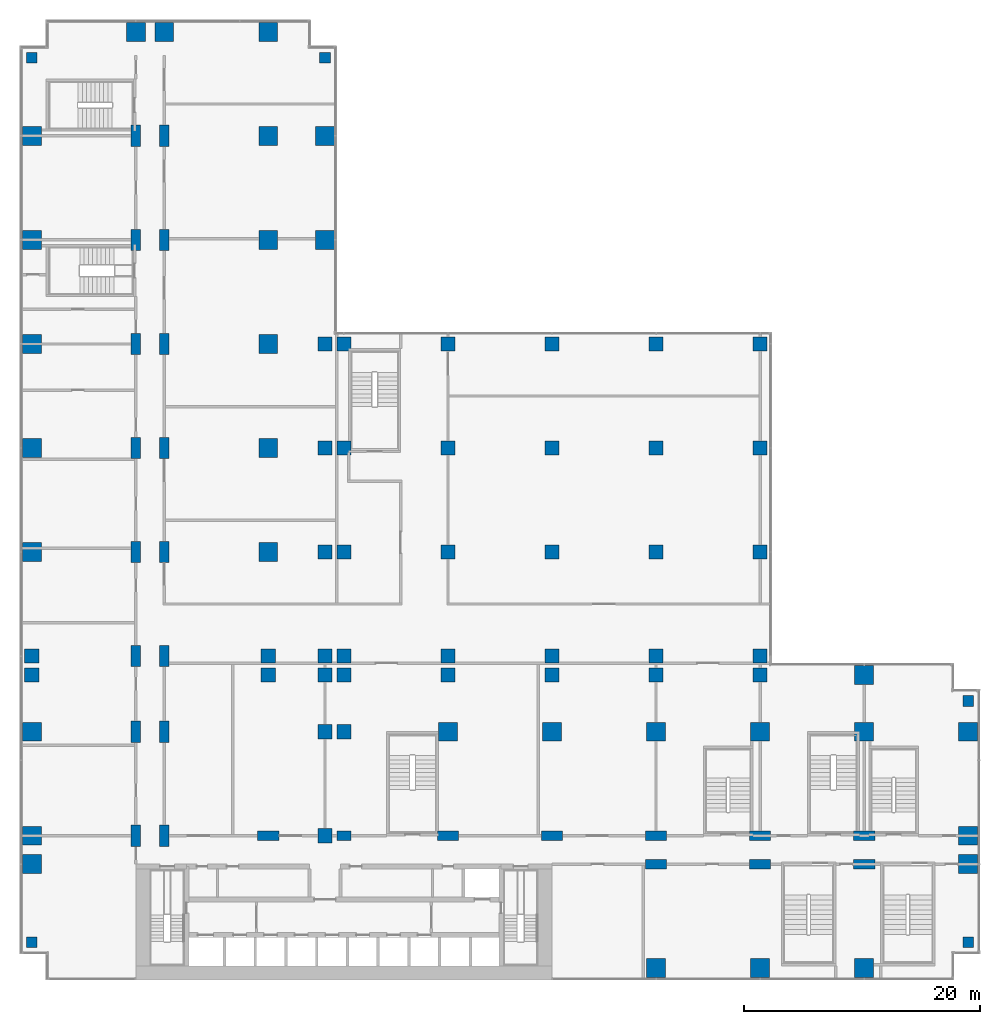
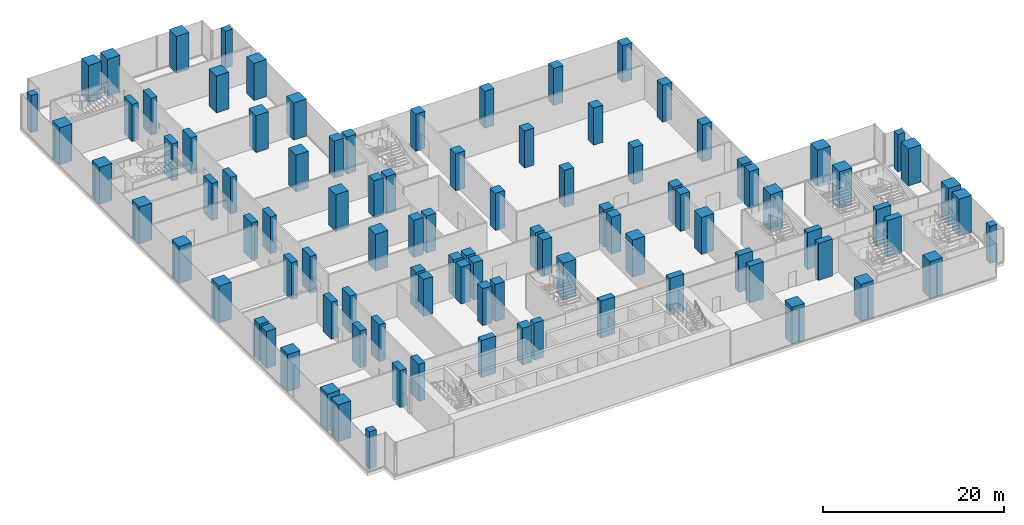
# One storey, part 1 of 30: 98 columns.
"""IFC4 building model written with IfcOpenShell, lengths in metres."""

from ifc_helpers import new_model, si_unit, direction, frame, origin, origin_2d, place, context, subcontext, project, spatial, rectangle, extrude, material, material_profile, profile_set, type_object, element, save


model = new_model("IFC4")

# Units and contexts
model_context = context("Model", 3, precision=1e-05, world=origin(), true_north=direction((0.0, 1.0)))
body_context = subcontext(model_context, "Body", "Model", "MODEL_VIEW")
ifc_project = project(units=[si_unit("LENGTHUNIT", "METRE"), si_unit("AREAUNIT", "SQUARE_METRE"), si_unit("VOLUMEUNIT", "CUBIC_METRE"), si_unit("PLANEANGLEUNIT", "RADIAN"), si_unit("MASSUNIT", "GRAM", prefix="KILO")], contexts=[model_context])

# Site, building, storey
site_placement = place(None, origin())
site = spatial("IfcSite", under=ifc_project, at=site_placement, CompositionType="ELEMENT")
building_placement = place(site_placement, origin())
building = spatial("IfcBuilding", under=site, at=building_placement, Name="Kemantara Hotel Tower", CompositionType="ELEMENT")
storey_placement = place(building_placement, frame((0.0, 0.0, 13.0)))
storey = spatial("IfcBuildingStorey", under=building, at=storey_placement, Name="L02", CompositionType="ELEMENT", Elevation=13.0)

# Columns
ifc_material = material(Name="Concrete fc 70 MPa", Category="concrete")
ifc_material_profile_1 = material_profile(ifc_material, rectangle(XDim=1.199951171875, YDim=1.199951171875, at=origin_2d()), Name="RC 1200X1200")
ifc_profile_set_1 = profile_set([ifc_material_profile_1], Name="Concrete fc 70 MPa")
column_type_1 = type_object("IfcColumnType", Name="RC COLUMN 1200X1200 FC70", PredefinedType="COLUMN", material=ifc_profile_set_1)
for number, where, z_axis, x_axis, name in (
    (1, (1.0, 25.800048828125, 0.0), (0.0, 0.0, 1.0), (1.0, 0.0, 0.0), "COLUMN 1/CA L02"),
    (2, (1.0, 27.39990234375, 0.0), (0.0, 0.0, 1.0), (1.0, 0.0, 0.0), "COLUMN 1/D L02"),
    (3, (21.0, 25.800048828125, 0.0), (0.0, 0.0, 1.0), (1.0, 0.0, 0.0), "COLUMN 3/CA L02"),
    (4, (21.0, 27.39990234375, 0.0), (0.0, 0.0, 1.0), (1.0, 0.0, 0.0), "COLUMN 3/D L02"),
    (5, (25.800048828125, 12.199951171875, 0.0), (0.0, 0.0, 1.0), (1.0, 0.0, 0.0), "COLUMN 3A/BA L02"),
    (6, (25.800048828125, 21.0, 0.0), (0.0, 0.0, 1.0), (1.0, 0.0, 0.0), "COLUMN 3A/C L02"),
    (7, (25.800048828125, 25.800048828125, 0.0), (0.0, 0.0, 1.0), (1.0, 0.0, 0.0), "COLUMN 3A/CA L02"),
    (8, (25.800048828125, 27.39990234375, 0.0), (0.0, 0.0, 1.0), (1.0, 0.0, 0.0), "COLUMN 3A/D L02"),
    (9, (25.800048828125, 36.199951171875, 0.0), (0.0, 0.0, 1.0), (1.0, 0.0, 0.0), "COLUMN 3A/E L02"),
    (10, (25.800048828125, 45.0, 0.0), (0.0, 0.0, 1.0), (1.0, 0.0, 0.0), "COLUMN 3A/F L02"),
    (11, (25.800048828125, 53.800048828125, 0.0), (0.0, 0.0, 1.0), (1.0, 0.0, 0.0), "COLUMN 3A/G L02"),
    (12, (27.39990234375, 21.0, 0.0), (0.0, 0.0, 1.0), (1.0, 0.0, 0.0), "COLUMN 4/C L02"),
    (13, (27.39990234375, 25.800048828125, 0.0), (0.0, 0.0, 1.0), (1.0, 0.0, 0.0), "COLUMN 4/CA L02"),
    (14, (36.199951171875, 25.800048828125, 0.0), (0.0, 0.0, 1.0), (1.0, 0.0, 0.0), "COLUMN 5/CA L02"),
    (15, (45.0, 25.800048828125, 0.0), (0.0, 0.0, 1.0), (1.0, 0.0, 0.0), "COLUMN 6/CA L02"),
    (16, (53.800048828125, 25.800048828125, 0.0), (0.0, 0.0, 1.0), (1.0, 0.0, 0.0), "COLUMN 7/CA L02"),
    (17, (62.60009765625, 25.800048828125, 0.0), (0.0, 0.0, 1.0), (1.0, 0.0, 0.0), "COLUMN 8/CA L02"),
    (18, (27.39990234375, 27.39990234375, 0.0), (0.0, 0.0, 1.0), (1.0, 0.0, 0.0), "COLUMN 4/D L02"),
    (19, (27.39990234375, 36.199951171875, 0.0), (0.0, 0.0, 1.0), (1.0, 0.0, 0.0), "COLUMN 4/E L02"),
    (20, (27.39990234375, 45.0, 0.0), (0.0, 0.0, 1.0), (1.0, 0.0, 0.0), "COLUMN 4/F L02"),
    (21, (27.39990234375, 53.800048828125, 0.0), (0.0, 0.0, 1.0), (1.0, 0.0, 0.0), "COLUMN 4/G L02"),
    (22, (36.199951171875, 27.39990234375, 0.0), (0.0, 0.0, 1.0), (1.0, 0.0, 0.0), "COLUMN 5/D L02"),
    (23, (36.199951171875, 36.199951171875, 0.0), (0.0, 0.0, 1.0), (1.0, 0.0, 0.0), "COLUMN 5/E L02"),
    (24, (36.199951171875, 45.0, 0.0), (0.0, 0.0, 1.0), (1.0, 0.0, 0.0), "COLUMN 5/F L02"),
    (25, (36.199951171875, 53.800048828125, 0.0), (0.0, 0.0, 1.0), (1.0, 0.0, 0.0), "COLUMN 5/G L02"),
    (26, (45.0, 27.39990234375, 0.0), (0.0, 0.0, 1.0), (1.0, 0.0, 0.0), "COLUMN 6/D L02"),
    (27, (45.0, 36.199951171875, 0.0), (0.0, 0.0, 1.0), (1.0, 0.0, 0.0), "COLUMN 6/E L02"),
    (28, (45.0, 45.0, 0.0), (0.0, 0.0, 1.0), (1.0, 0.0, 0.0), "COLUMN 6/F L02"),
    (29, (45.0, 53.800048828125, 0.0), (0.0, 0.0, 1.0), (1.0, 0.0, 0.0), "COLUMN 6/G L02"),
    (30, (53.800048828125, 27.39990234375, 0.0), (0.0, 0.0, 1.0), (1.0, 0.0, 0.0), "COLUMN 7/D L02"),
    (31, (53.800048828125, 36.199951171875, 0.0), (0.0, 0.0, 1.0), (1.0, 0.0, 0.0), "COLUMN 7/E L02"),
    (32, (53.800048828125, 45.0, 0.0), (0.0, 0.0, 1.0), (1.0, 0.0, 0.0), "COLUMN 7/F L02"),
    (33, (53.800048828125, 53.800048828125, 0.0), (0.0, 0.0, 1.0), (1.0, 0.0, 0.0), "COLUMN 7/G L02"),
    (34, (62.60009765625, 27.39990234375, 0.0), (0.0, 0.0, 1.0), (1.0, 0.0, 0.0), "COLUMN 8/D L02"),
    (35, (62.60009765625, 36.199951171875, 0.0), (0.0, 0.0, 1.0), (1.0, 0.0, 0.0), "COLUMN 8/E L02"),
    (36, (62.60009765625, 45.0, 0.0), (0.0, 0.0, 1.0), (1.0, 0.0, 0.0), "COLUMN 8/F L02"),
    (37, (62.60009765625, 53.800048828125, 0.0), (0.0, 0.0, 1.0), (1.0, 0.0, 0.0), "COLUMN 8/G L02"),
):
    element("IfcColumn", number, at=place(storey_placement, frame(where, z_axis=z_axis, x_axis=x_axis)), inside=storey, type_object=column_type_1, Name=name, PredefinedType="COLUMN", context=body_context, shape_type="SweptSolid", body=[
        extrude(rectangle(XDim=1.199951171875, YDim=1.199951171875, at=origin_2d()), origin(), (0.0, 0.0, 1.0), 5.0),
    ])
ifc_material_profile_2 = material_profile(ifc_material, rectangle(XDim=1.199951171875, YDim=0.800048828125, at=origin_2d()), Name="RC 1200X800")
ifc_profile_set_2 = profile_set([ifc_material_profile_2], Name="Concrete fc 70 MPa")
column_type_2 = type_object("IfcColumnType", Name="RC COLUMN 1200X800 FC70", PredefinedType="COLUMN", material=ifc_profile_set_2)
column_placement = place(storey_placement, frame((27.39990234375, 12.199951171875, 0.0), z_axis=(0.0, 0.0, 1.0), x_axis=(1.0, 0.0, 0.0)))
element("IfcColumn", 38, at=column_placement, inside=storey, type_object=column_type_2, Name="COLUMN 4/BA L02", PredefinedType="COLUMN", context=body_context, shape_type="SweptSolid", body=[
    extrude(rectangle(XDim=1.199951171875, YDim=0.800048828125, at=origin_2d()), origin(), (0.0, 0.0, 1.0), 5.0),
])
ifc_material_profile_3 = material_profile(ifc_material, rectangle(XDim=1.60009765625, YDim=1.60009765625, at=origin_2d()), Name="RC 1600X1600")
ifc_profile_set_3 = profile_set([ifc_material_profile_3], Name="Concrete fc 70 MPa")
column_type_3 = type_object("IfcColumnType", Name="RC COLUMN 1600X1600 FC70", PredefinedType="COLUMN", material=ifc_profile_set_3)
for number, where, z_axis, x_axis, name in (
    (39, (1.0, 9.800048828125, 0.0), (0.0, 0.0, 1.0), (1.0, 0.0, 0.0), "COLUMN 1/B L02"),
    (40, (1.0, 12.199951171875, 0.0), (0.0, 0.0, 1.0), (1.0, 0.0, 0.0), "COLUMN 1/BA L02"),
    (41, (1.0, 21.0, 0.0), (0.0, 0.0, 1.0), (1.0, 0.0, 0.0), "COLUMN 1/C L02"),
    (42, (1.0, 36.199951171875, 0.0), (0.0, 0.0, 1.0), (1.0, 0.0, 0.0), "COLUMN 1/E L02"),
    (43, (1.0, 45.0, 0.0), (0.0, 0.0, 1.0), (1.0, 0.0, 0.0), "COLUMN 1/F L02"),
    (44, (1.0, 53.800048828125, 0.0), (0.0, 0.0, 1.0), (1.0, 0.0, 0.0), "COLUMN 1/G L02"),
    (45, (1.0, 62.60009765625, 0.0), (0.0, 0.0, 1.0), (1.0, 0.0, 0.0), "COLUMN 1/H L02"),
    (46, (1.0, 71.39990234375, 0.0), (0.0, 0.0, 1.0), (1.0, 0.0, 0.0), "COLUMN 1/J L02"),
    (47, (9.800048828125, 80.199951171875, 0.0), (0.0, 0.0, 1.0), (1.0, 0.0, 0.0), "COLUMN 2/K L02"),
    (48, (12.199951171875, 80.199951171875, 0.0), (0.0, 0.0, 1.0), (1.0, 0.0, 0.0), "COLUMN 2A/K L02"),
    (49, (21.0, 36.199951171875, 0.0), (0.0, 0.0, 1.0), (1.0, 0.0, 0.0), "COLUMN 3/E L02"),
    (50, (21.0, 45.0, 0.0), (0.0, 0.0, 1.0), (1.0, 0.0, 0.0), "COLUMN 3/F L02"),
    (51, (21.0, 53.800048828125, 0.0), (0.0, 0.0, 1.0), (1.0, 0.0, 0.0), "COLUMN 3/G L02"),
    (52, (21.0, 62.60009765625, 0.0), (0.0, 0.0, 1.0), (1.0, 0.0, 0.0), "COLUMN 3/H L02"),
    (53, (21.0, 71.39990234375, 0.0), (0.0, 0.0, 1.0), (1.0, 0.0, 0.0), "COLUMN 3/J L02"),
    (54, (21.0, 80.199951171875, 0.0), (0.0, 0.0, 1.0), (1.0, 0.0, 0.0), "COLUMN 3/K L02"),
    (55, (25.800048828125, 62.60009765625, 0.0), (0.0, 0.0, 1.0), (1.0, 0.0, 0.0), "COLUMN 3A/H L02"),
    (56, (25.800048828125, 71.39990234375, 0.0), (0.0, 0.0, 1.0), (1.0, 0.0, 0.0), "COLUMN 3A/J L02"),
    (57, (36.199951171875, 21.0, 0.0), (0.0, 0.0, 1.0), (1.0, 0.0, 0.0), "COLUMN 5/C L02"),
    (58, (45.0, 21.0, 0.0), (0.0, 0.0, 1.0), (1.0, 0.0, 0.0), "COLUMN 6/C L02"),
    (59, (53.800048828125, 1.0, 0.0), (0.0, 0.0, 1.0), (1.0, 0.0, 0.0), "COLUMN 7/A L02"),
    (60, (53.800048828125, 21.0, 0.0), (0.0, 0.0, 1.0), (1.0, 0.0, 0.0), "COLUMN 7/C L02"),
    (61, (62.60009765625, 1.0, 0.0), (0.0, 0.0, 1.0), (1.0, 0.0, 0.0), "COLUMN 8/A L02"),
    (62, (62.60009765625, 21.0, 0.0), (0.0, 0.0, 1.0), (1.0, 0.0, 0.0), "COLUMN 8/C L02"),
    (63, (71.39990234375, 1.0, 0.0), (0.0, 0.0, 1.0), (1.0, 0.0, 0.0), "COLUMN 9/A L02"),
    (64, (71.39990234375, 21.0, 0.0), (0.0, 0.0, 1.0), (1.0, 0.0, 0.0), "COLUMN 9/C L02"),
    (65, (71.39990234375, 25.800048828125, 0.0), (0.0, 0.0, 1.0), (1.0, 0.0, 0.0), "COLUMN 9/CA L02"),
    (66, (80.199951171875, 9.800048828125, 0.0), (0.0, 0.0, 1.0), (1.0, 0.0, 0.0), "COLUMN 10/B L02"),
    (67, (80.199951171875, 12.199951171875, 0.0), (0.0, 0.0, 1.0), (1.0, 0.0, 0.0), "COLUMN 10/BA L02"),
    (68, (80.199951171875, 21.0, 0.0), (0.0, 0.0, 1.0), (1.0, 0.0, 0.0), "COLUMN 10/C L02"),
):
    element("IfcColumn", number, at=place(storey_placement, frame(where, z_axis=z_axis, x_axis=x_axis)), inside=storey, type_object=column_type_3, Name=name, PredefinedType="COLUMN", context=body_context, shape_type="SweptSolid", body=[
        extrude(rectangle(XDim=1.60009765625, YDim=1.60009765625, at=origin_2d()), origin(), (0.0, 0.0, 1.0), 5.0),
    ])
ifc_material_profile_4 = material_profile(ifc_material, rectangle(XDim=1.800048828125, YDim=0.800048828125, at=origin_2d()), Name="RC 1800X800")
ifc_profile_set_4 = profile_set([ifc_material_profile_4], Name="Concrete fc 70 MPa")
column_type_4 = type_object("IfcColumnType", Name="RC COLUMN 1800X800 FC70", PredefinedType="COLUMN", material=ifc_profile_set_4)
for number, where, z_axis, x_axis, name in (
    (69, (9.800048828125, 12.199951171875, 0.0), (0.0, 0.0, 1.0), (0.0, 1.0, 0.0), "COLUMN 2/BA L02"),
    (70, (9.800048828125, 21.0, 0.0), (0.0, 0.0, 1.0), (0.0, 1.0, 0.0), "COLUMN 2/C L02"),
    (71, (9.800048828125, 27.39990234375, 0.0), (0.0, 0.0, 1.0), (0.0, 1.0, 0.0), "COLUMN 2/D L02"),
    (72, (9.800048828125, 36.199951171875, 0.0), (0.0, 0.0, 1.0), (0.0, 1.0, 0.0), "COLUMN 2/E L02"),
    (73, (9.800048828125, 45.0, 0.0), (0.0, 0.0, 1.0), (0.0, 1.0, 0.0), "COLUMN 2/F L02"),
    (74, (9.800048828125, 53.800048828125, 0.0), (0.0, 0.0, 1.0), (0.0, 1.0, 0.0), "COLUMN 2/G L02"),
    (75, (9.800048828125, 62.60009765625, 0.0), (0.0, 0.0, 1.0), (0.0, 1.0, 0.0), "COLUMN 2/H L02"),
    (76, (9.800048828125, 71.39990234375, 0.0), (0.0, 0.0, 1.0), (0.0, 1.0, 0.0), "COLUMN 2/J L02"),
    (77, (12.199951171875, 12.199951171875, 0.0), (0.0, 0.0, 1.0), (0.0, 1.0, 0.0), "COLUMN 2A/BA L02"),
    (78, (12.199951171875, 21.0, 0.0), (0.0, 0.0, 1.0), (0.0, 1.0, 0.0), "COLUMN 2A/C L02"),
    (79, (12.199951171875, 27.39990234375, 0.0), (0.0, 0.0, 1.0), (0.0, 1.0, 0.0), "COLUMN 2A/D L02"),
    (80, (12.199951171875, 36.199951171875, 0.0), (0.0, 0.0, 1.0), (0.0, 1.0, 0.0), "COLUMN 2A/E L02"),
    (81, (12.199951171875, 45.0, 0.0), (0.0, 0.0, 1.0), (0.0, 1.0, 0.0), "COLUMN 2A/F L02"),
    (82, (12.199951171875, 53.800048828125, 0.0), (0.0, 0.0, 1.0), (0.0, 1.0, 0.0), "COLUMN 2A/G L02"),
    (83, (12.199951171875, 62.60009765625, 0.0), (0.0, 0.0, 1.0), (0.0, 1.0, 0.0), "COLUMN 2A/H L02"),
    (84, (12.199951171875, 71.39990234375, 0.0), (0.0, 0.0, 1.0), (0.0, 1.0, 0.0), "COLUMN 2A/J L02"),
    (85, (21.0, 12.199951171875, 0.0), (0.0, 0.0, 1.0), (1.0, 0.0, 0.0), "COLUMN 3/BA L02"),
    (86, (36.199951171875, 12.199951171875, 0.0), (0.0, 0.0, 1.0), (1.0, 0.0, 0.0), "COLUMN 5/BA L02"),
    (87, (45.0, 12.199951171875, 0.0), (0.0, 0.0, 1.0), (1.0, 0.0, 0.0), "COLUMN 6/BA L02"),
    (88, (53.800048828125, 9.800048828125, 0.0), (0.0, 0.0, 1.0), (1.0, 0.0, 0.0), "COLUMN 7/B L02"),
    (89, (53.800048828125, 12.199951171875, 0.0), (0.0, 0.0, 1.0), (1.0, 0.0, 0.0), "COLUMN 7/BA L02"),
    (90, (62.60009765625, 9.800048828125, 0.0), (0.0, 0.0, 1.0), (1.0, 0.0, 0.0), "COLUMN 8/B L02"),
    (91, (62.60009765625, 12.199951171875, 0.0), (0.0, 0.0, 1.0), (1.0, 0.0, 0.0), "COLUMN 8/BA L02"),
    (92, (71.39990234375, 9.800048828125, 0.0), (0.0, 0.0, 1.0), (1.0, 0.0, 0.0), "COLUMN 9/B L02"),
    (93, (71.39990234375, 12.199951171875, 0.0), (0.0, 0.0, 1.0), (1.0, 0.0, 0.0), "COLUMN 9/BA L02"),
):
    element("IfcColumn", number, at=place(storey_placement, frame(where, z_axis=z_axis, x_axis=x_axis)), inside=storey, type_object=column_type_4, Name=name, PredefinedType="COLUMN", context=body_context, shape_type="SweptSolid", body=[
        extrude(rectangle(XDim=1.800048828125, YDim=0.800048828125, at=origin_2d()), origin(), (0.0, 0.0, 1.0), 5.0),
    ])
ifc_material_profile_5 = material_profile(ifc_material, rectangle(XDim=0.89990234375, YDim=0.89990234375, at=origin_2d()), Name="RC 900X900")
ifc_profile_set_5 = profile_set([ifc_material_profile_5], Name="Concrete fc 70 MPa")
column_type_5 = type_object("IfcColumnType", Name="RC COLUMN 900X900 FC70", PredefinedType="COLUMN", material=ifc_profile_set_5)
for number, where, z_axis, x_axis, name in (
    (94, (1.0, 3.199951171875, 0.0), (0.0, 0.0, 1.0), (1.0, 0.0, 0.0), "COLUMN notch corner L02"),
    (95, (1.0, 78.0, 0.0), (0.0, 0.0, 1.0), (1.0, 0.0, 0.0), "COLUMN notch corner L02"),
    (96, (25.800048828125, 78.0, 0.0), (0.0, 0.0, 1.0), (1.0, 0.0, 0.0), "COLUMN notch corner L02"),
    (97, (80.199951171875, 3.199951171875, 0.0), (0.0, 0.0, 1.0), (1.0, 0.0, 0.0), "COLUMN notch corner L02"),
    (98, (80.199951171875, 23.60009765625, 0.0), (0.0, 0.0, 1.0), (1.0, 0.0, 0.0), "COLUMN notch corner L02"),
):
    element("IfcColumn", number, at=place(storey_placement, frame(where, z_axis=z_axis, x_axis=x_axis)), inside=storey, type_object=column_type_5, Name=name, PredefinedType="COLUMN", context=body_context, shape_type="SweptSolid", body=[
        extrude(rectangle(XDim=0.89990234375, YDim=0.89990234375, at=origin_2d()), origin(), (0.0, 0.0, 1.0), 5.0),
    ])

save(model, "model.ifc")
